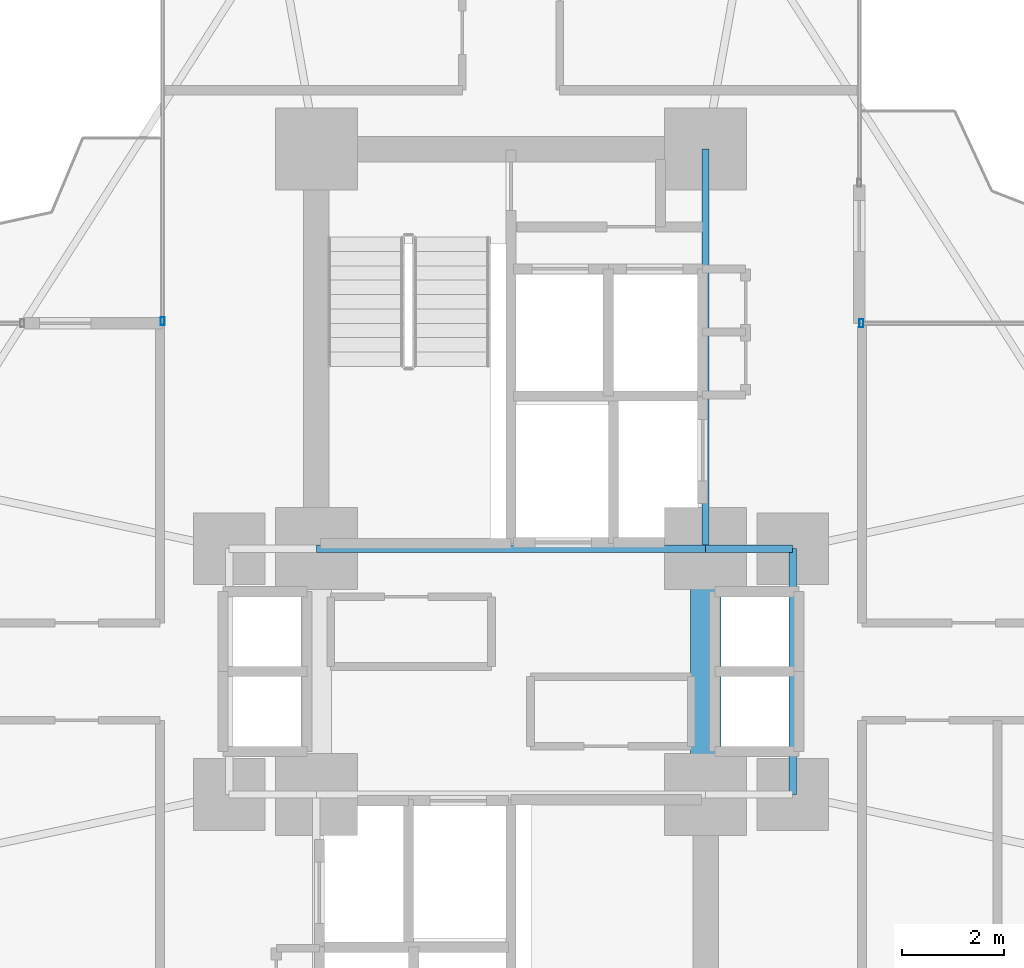
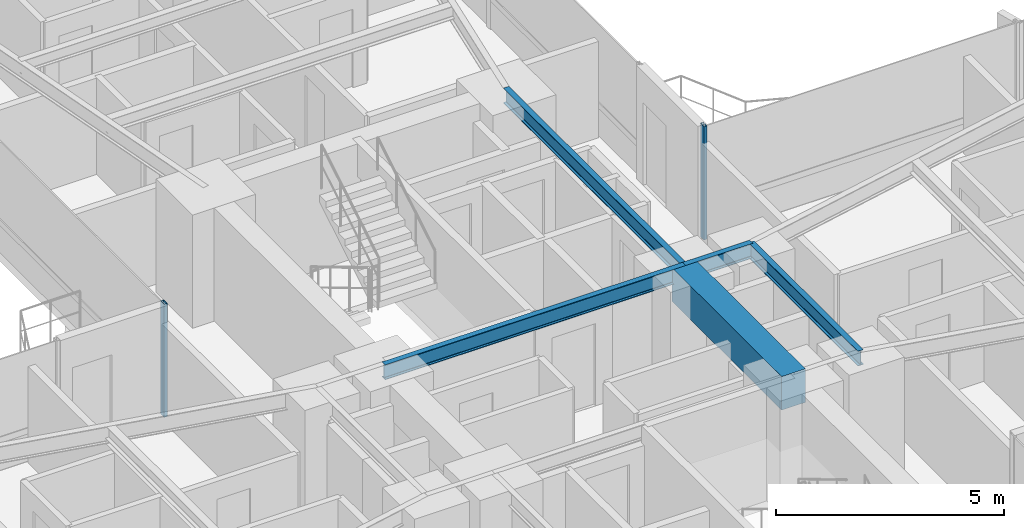
# One storey, part 12 of 25: 5 beams, 2 members, 2 elements without a shape of their own.
"""IFC4 building model written with IfcOpenShell, lengths in metres."""

from ifc_helpers import new_model, si_unit, direction, frame, origin, origin_2d, place, context, subcontext, project, spatial, rectangle, hollow_rectangle, i_section, extrude, source, transform, mapped, material, material_profile, profile_set, type_object, element, aggregate, save


model = new_model("IFC4")

# Units and contexts
model_context = context("Model", 3, precision=1e-05, world=origin(), true_north=direction((0.0, 1.0)))
body_context = subcontext(model_context, "Body", "Model", "MODEL_VIEW")
ifc_project = project(units=[si_unit("LENGTHUNIT", "METRE"), si_unit("AREAUNIT", "SQUARE_METRE"), si_unit("VOLUMEUNIT", "CUBIC_METRE"), si_unit("PLANEANGLEUNIT", "RADIAN"), si_unit("MASSUNIT", "GRAM", prefix="KILO")], contexts=[model_context])

# Site, building, storey
site_placement = place(None, origin())
site = spatial("IfcSite", under=ifc_project, at=site_placement, CompositionType="ELEMENT")
building_placement = place(site_placement, origin())
building = spatial("IfcBuilding", under=site, at=building_placement, Name="Sahyath Konkavel Grand Hotel", CompositionType="ELEMENT")
storey_placement = place(building_placement, frame((0.0, 0.0, 71.14990234375)))
storey = spatial("IfcBuildingStorey", under=building, at=storey_placement, Name="L19", CompositionType="ELEMENT", Elevation=71.14990234375)

# Beams
ifc_material_1 = material(Name="Concrete C70/85", Category="concrete")
ifc_material_profile_1 = material_profile(ifc_material_1, rectangle(XDim=0.60009765625, YDim=0.89990234375, at=origin_2d()), Name="RC 600x900")
ifc_profile_set_1 = profile_set([ifc_material_profile_1], Name="Concrete C70/85")
beam_type_1 = type_object("IfcBeamType", Name="BM-CB600x900", PredefinedType="LINTEL", material=ifc_profile_set_1)
shared_shape_1 = source(origin(), body_context, "Body", "SweptSolid", [
    extrude(rectangle(XDim=0.60009765625, YDim=0.89990234375, at=origin_2d()), origin(), (0.0, 0.0, 1.0), 4.7998046875),
])
beam_1_placement = place(storey_placement, frame((3.800048828125, -2.39990234375, 2.580078125), z_axis=(0.0, 1.0, 0.0), x_axis=(-1.0, 0.0, 0.0)))
element("IfcBeam", 1, at=beam_1_placement, inside=storey, type_object=beam_type_1, Name="L19 Split-Core Coupling Beam East", PredefinedType="LINTEL", context=body_context, shape_type="MappedRepresentation", body=[
    mapped(shared_shape_1, transform((0.0, 0.0, 0.0), scale=1.0)),
])
ifc_material_2 = material(Name="Steel E350", Category="steel")
ifc_material_profile_2 = material_profile(ifc_material_2, i_section(OverallWidth=0.139892578125, OverallDepth=0.39990234375, WebThickness=0.0087890625, FlangeThickness=0.01611328125, FilletRadius=0.013916015625, at=origin_2d()), Name="ISMB 400")
ifc_profile_set_2 = profile_set([ifc_material_profile_2], Name="Steel E350")
beam_type_2 = type_object("IfcBeamType", Name="BM-ISMB400", PredefinedType="BEAM", material=ifc_profile_set_2)
shared_shape_2 = source(origin(), body_context, "Body", "SweptSolid", [
    extrude(i_section(OverallWidth=0.139892578125, OverallDepth=0.39990234375, WebThickness=0.0087890625, FlangeThickness=0.01611328125, FilletRadius=0.013916015625, at=origin_2d()), origin(), (0.0, 0.0, 1.0), 7.60009765625),
])
beam_2_placement = place(storey_placement, frame((-3.800048828125, 2.39990234375, 2.830078125), z_axis=(1.0, 0.0, 0.0), x_axis=(0.0, 1.0, 0.0)))
element("IfcBeam", 2, at=beam_2_placement, inside=storey, type_object=beam_type_2, Name="str:bm:L19:NC-S", PredefinedType="BEAM", context=body_context, shape_type="MappedRepresentation", body=[
    mapped(shared_shape_2, transform((0.0, 0.0, 0.0), scale=1.0)),
])
shared_shape_3 = source(origin(), body_context, "Body", "SweptSolid", [
    extrude(i_section(OverallWidth=0.139892578125, OverallDepth=0.39990234375, WebThickness=0.0087890625, FlangeThickness=0.01611328125, FilletRadius=0.013916015625, at=origin_2d()), origin(), (0.0, 0.0, 1.0), 7.800048828125),
])
beam_3_placement = place(storey_placement, frame((3.800048828125, 2.39990234375, 2.830078125), z_axis=(0.0, 1.0, 0.0), x_axis=(-1.0, 0.0, 0.0)))
element("IfcBeam", 3, at=beam_3_placement, inside=storey, type_object=beam_type_2, Name="str:bm:L19:NC-E", PredefinedType="BEAM", context=body_context, shape_type="MappedRepresentation", body=[
    mapped(shared_shape_3, transform((0.0, 0.0, 0.0), scale=1.0)),
])
shared_shape_4 = source(origin(), body_context, "Body", "SweptSolid", [
    extrude(i_section(OverallWidth=0.139892578125, OverallDepth=0.39990234375, WebThickness=0.0087890625, FlangeThickness=0.01611328125, FilletRadius=0.013916015625, at=origin_2d()), origin(), (0.0, 0.0, 1.0), 1.699951171875),
])
beam_4_placement = place(storey_placement, frame((3.800048828125, 2.39990234375, 2.830078125), z_axis=(1.0, 0.0, 0.0), x_axis=(0.0, 1.0, 0.0)))
element("IfcBeam", 4, at=beam_4_placement, inside=storey, type_object=beam_type_2, Name="str:bm:L19:HB-NE", PredefinedType="BEAM", context=body_context, shape_type="MappedRepresentation", body=[
    mapped(shared_shape_4, transform((0.0, 0.0, 0.0), scale=1.0)),
])
shared_shape_5 = source(origin(), body_context, "Body", "SweptSolid", [
    extrude(i_section(OverallWidth=0.139892578125, OverallDepth=0.39990234375, WebThickness=0.0087890625, FlangeThickness=0.01611328125, FilletRadius=0.013916015625, at=origin_2d()), origin(), (0.0, 0.0, 1.0), 4.7998046875),
])
beam_5_placement = place(storey_placement, frame((5.5, -2.39990234375, 2.830078125), z_axis=(0.0, 1.0, 0.0), x_axis=(-1.0, 0.0, 0.0)))
element("IfcBeam", 5, at=beam_5_placement, inside=storey, type_object=beam_type_2, Name="str:bm:L19:HB-E", PredefinedType="BEAM", context=body_context, shape_type="MappedRepresentation", body=[
    mapped(shared_shape_5, transform((0.0, 0.0, 0.0), scale=1.0)),
])

# Curtain wall, member
ifc_material_3 = material(Name="Anodised Bronze Aluminium & Low-E Glazing", Category="aluminium")
curtain_wall_type = type_object("IfcCurtainWallType", Name="CW-ZONE1", PredefinedType="NOTDEFINED", material=ifc_material_3)
curtain_wall_1_placement = place(storey_placement, origin())
curtain_wall_1 = element("IfcCurtainWall", 6, at=curtain_wall_1_placement, inside=storey, type_object=curtain_wall_type, Name="L19 Unitised Curtain Wall F7", PredefinedType="NOTDEFINED")
ifc_material_4 = material(Name="Anodised Bronze Aluminium", Category="aluminium")
ifc_material_profile_3 = material_profile(ifc_material_4, hollow_rectangle(XDim=0.080078125, YDim=0.159912109375, WallThickness=0.006103515625, at=origin_2d()), Name="RHS 160x80x6")
ifc_profile_set_3 = profile_set([ifc_material_profile_3], Name="Anodised Bronze Aluminium")
member_type = type_object("IfcMemberType", Name="CW-MUL-160", PredefinedType="MULLION", material=ifc_profile_set_3)
shared_shape_6 = source(origin(), body_context, "Body", "SweptSolid", [
    extrude(hollow_rectangle(XDim=0.080078125, YDim=0.159912109375, WallThickness=0.006103515625, at=origin_2d()), origin(), (0.0, 0.0, 1.0), 3.030029296875),
])
member_1_placement = place(storey_placement, frame((6.840087890625, 6.800048828125, 0.0), z_axis=(0.0, 0.0, 1.0), x_axis=(1.0, 0.0, 0.0)))
member_1 = element("IfcMember", 7, at=member_1_placement, type_object=member_type, Name="L19 Curtain Wall Mullion F7-2", PredefinedType="MULLION", context=body_context, shape_type="MappedRepresentation", body=[
    mapped(shared_shape_6, transform((0.0, 0.0, 0.0), scale=1.0)),
])
aggregate(curtain_wall_1, [member_1])

curtain_wall_2_placement = place(storey_placement, origin())
curtain_wall_2 = element("IfcCurtainWall", 8, at=curtain_wall_2_placement, inside=storey, type_object=curtain_wall_type, Name="L19 Unitised Curtain Wall F15", PredefinedType="NOTDEFINED")
member_2_placement = place(storey_placement, frame((-6.800048828125, 6.840087890625, 0.0), z_axis=(0.0, 0.0, 1.0), x_axis=(1.0, 0.0, 0.0)))
member_2 = element("IfcMember", 9, at=member_2_placement, type_object=member_type, Name="L19 Curtain Wall Mullion F15-2", PredefinedType="MULLION", context=body_context, shape_type="MappedRepresentation", body=[
    mapped(shared_shape_6, transform((0.0, 0.0, 0.0), scale=1.0)),
])
aggregate(curtain_wall_2, [member_2])

save(model, "model.ifc")
